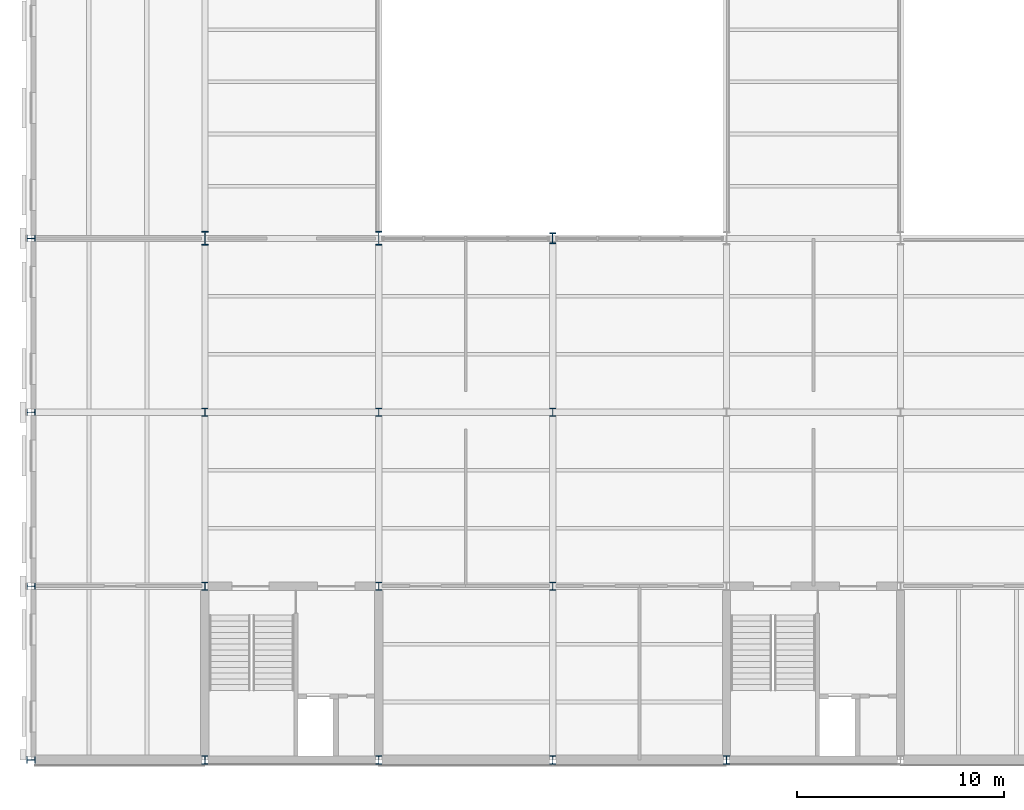
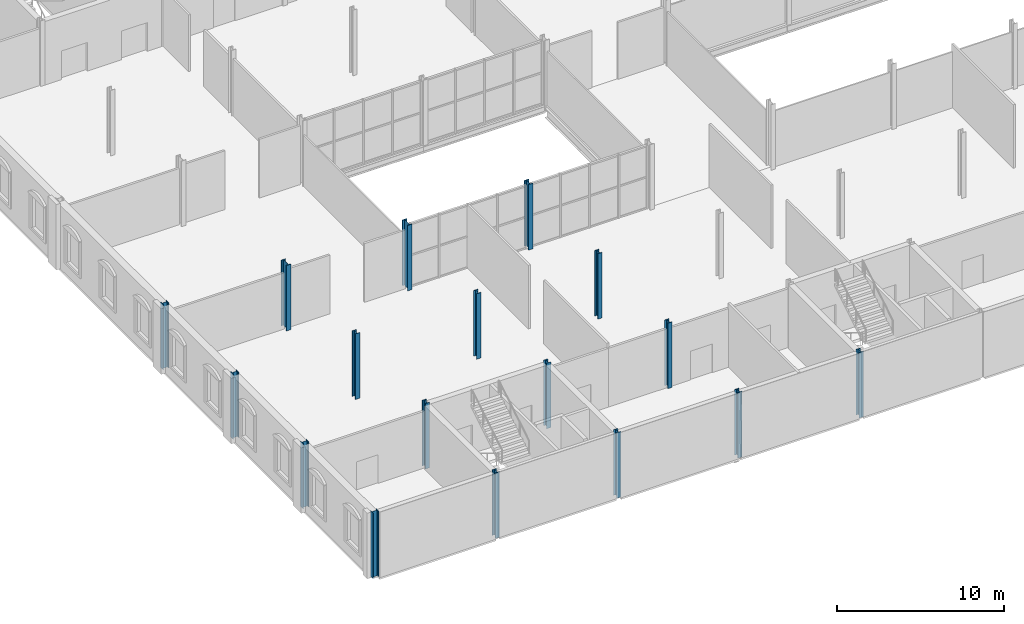
# One storey, part 1 of 57: 17 columns.
"""IFC4 building model written with IfcOpenShell, lengths in metres."""

from ifc_helpers import new_model, si_unit, direction, frame, origin, origin_2d, place, context, subcontext, project, spatial, i_section, extrude, material, material_profile, profile_set, type_object, element, save


model = new_model("IFC4")

# Units and contexts
model_context = context("Model", 3, precision=1e-05, world=origin(), true_north=direction((0.0, 1.0)))
body_context = subcontext(model_context, "Body", "Model", "MODEL_VIEW")
ifc_project = project(units=[si_unit("LENGTHUNIT", "METRE"), si_unit("AREAUNIT", "SQUARE_METRE"), si_unit("VOLUMEUNIT", "CUBIC_METRE"), si_unit("PLANEANGLEUNIT", "RADIAN"), si_unit("MASSUNIT", "GRAM", prefix="KILO")], contexts=[model_context])

# Site, building, storey
site_placement = place(None, origin())
site = spatial("IfcSite", under=ifc_project, at=site_placement, CompositionType="ELEMENT")
building_placement = place(site_placement, origin())
building = spatial("IfcBuilding", under=site, at=building_placement, Name="Galleria Vessillo Department Store", CompositionType="ELEMENT")
storey_placement = place(building_placement, frame((0.0, 0.0, 21.0)))
storey = spatial("IfcBuildingStorey", under=building, at=storey_placement, Name="L04", CompositionType="ELEMENT", Elevation=21.0)

# Columns
ifc_material_1 = material(Name="Steel S355 J2", Category="steel")
ifc_material_profile_1 = material_profile(ifc_material_1, i_section(OverallWidth=0.300048828125, OverallDepth=0.39990234375, WebThickness=0.013427734375, FlangeThickness=0.02392578125, FilletRadius=0.027099609375, at=origin_2d()), Name="HEB 400")
ifc_profile_set_1 = profile_set([ifc_material_profile_1], Name="Steel S355 J2")
column_type_1 = type_object("IfcColumnType", Name="Steel column HEB 400 CP2", PredefinedType="COLUMN", material=ifc_profile_set_1)
for number, where, z_axis, x_axis, name in (
    (1, (0.0, 0.0, 0.0), (0.0, 0.0, 1.0), (0.0, 1.0, 0.0), "S-COL-L04-1-A"),
    (2, (0.0, 8.39990234375, 0.0), (0.0, 0.0, 1.0), (0.0, 1.0, 0.0), "S-COL-L04-1-B"),
    (3, (0.0, 16.800048828125, 0.0), (0.0, 0.0, 1.0), (0.0, 1.0, 0.0), "S-COL-L04-1-C"),
    (4, (0.0, 25.199951171875, 0.0), (0.0, 0.0, 1.0), (0.0, 1.0, 0.0), "S-COL-L04-1-D"),
    (5, (8.39990234375, 0.0, 0.0), (0.0, 0.0, 1.0), (1.0, 0.0, 0.0), "S-COL-L04-2-A"),
    (6, (8.39990234375, 8.39990234375, 0.0), (0.0, 0.0, 1.0), (1.0, 0.0, 0.0), "S-COL-L04-2-B"),
    (7, (8.39990234375, 16.800048828125, 0.0), (0.0, 0.0, 1.0), (1.0, 0.0, 0.0), "S-COL-L04-2-C"),
    (8, (16.800048828125, 0.0, 0.0), (0.0, 0.0, 1.0), (1.0, 0.0, 0.0), "S-COL-L04-3-A"),
    (9, (16.800048828125, 8.39990234375, 0.0), (0.0, 0.0, 1.0), (1.0, 0.0, 0.0), "S-COL-L04-3-B"),
    (10, (16.800048828125, 16.800048828125, 0.0), (0.0, 0.0, 1.0), (1.0, 0.0, 0.0), "S-COL-L04-3-C"),
    (11, (25.199951171875, 0.0, 0.0), (0.0, 0.0, 1.0), (1.0, 0.0, 0.0), "S-COL-L04-4-A"),
    (12, (25.199951171875, 8.39990234375, 0.0), (0.0, 0.0, 1.0), (1.0, 0.0, 0.0), "S-COL-L04-4-B"),
    (13, (25.199951171875, 16.800048828125, 0.0), (0.0, 0.0, 1.0), (1.0, 0.0, 0.0), "S-COL-L04-4-C"),
    (14, (33.60009765625, 0.0, 0.0), (0.0, 0.0, 1.0), (1.0, 0.0, 0.0), "S-COL-L04-5-A"),
):
    element("IfcColumn", number, at=place(storey_placement, frame(where, z_axis=z_axis, x_axis=x_axis)), inside=storey, type_object=column_type_1, Name=name, PredefinedType="COLUMN", context=body_context, shape_type="SweptSolid", body=[
        extrude(i_section(OverallWidth=0.300048828125, OverallDepth=0.39990234375, WebThickness=0.013427734375, FlangeThickness=0.02392578125, FilletRadius=0.027099609375, at=origin_2d()), origin(), (0.0, 0.0, 1.0), 4.800048828125),
    ])
ifc_material_2 = material(Name="Steel S355 J2", Category="steel")
ifc_material_profile_2 = material_profile(ifc_material_2, i_section(OverallWidth=0.305908203125, OverallDepth=0.52392578125, WebThickness=0.02099609375, FlangeThickness=0.0400390625, FilletRadius=0.027099609375, at=origin_2d()), Name="HEM 500")
ifc_profile_set_2 = profile_set([ifc_material_profile_2], Name="Steel S355 J2")
column_type_2 = type_object("IfcColumnType", Name="Steel column HEM 500 CV1", PredefinedType="COLUMN", material=ifc_profile_set_2)
column_placement = place(storey_placement, frame((25.199951171875, 25.199951171875, 0.0), z_axis=(0.0, 0.0, 1.0), x_axis=(1.0, 0.0, 0.0)))
element("IfcColumn", 15, at=column_placement, inside=storey, type_object=column_type_2, Name="S-COL-L04-4-D", PredefinedType="COLUMN", context=body_context, shape_type="SweptSolid", body=[
    extrude(i_section(OverallWidth=0.305908203125, OverallDepth=0.52392578125, WebThickness=0.02099609375, FlangeThickness=0.0400390625, FilletRadius=0.027099609375, at=origin_2d()), origin(), (0.0, 0.0, 1.0), 4.800048828125),
])
ifc_material_3 = material(Name="Steel S355 J2", Category="steel")
ifc_material_profile_3 = material_profile(ifc_material_3, i_section(OverallWidth=0.304931640625, OverallDepth=0.66796875, WebThickness=0.02099609375, FlangeThickness=0.0400390625, FilletRadius=0.027099609375, at=origin_2d()), Name="HEM 650")
ifc_profile_set_3 = profile_set([ifc_material_profile_3], Name="Steel S355 J2")
column_type_3 = type_object("IfcColumnType", Name="Steel column HEM 650 CV3", PredefinedType="COLUMN", material=ifc_profile_set_3)
for number, where, z_axis, x_axis, name in (
    (16, (8.39990234375, 25.199951171875, 0.0), (0.0, 0.0, 1.0), (1.0, 0.0, 0.0), "S-COL-L04-2-D"),
    (17, (16.800048828125, 25.199951171875, 0.0), (0.0, 0.0, 1.0), (1.0, 0.0, 0.0), "S-COL-L04-3-D"),
):
    element("IfcColumn", number, at=place(storey_placement, frame(where, z_axis=z_axis, x_axis=x_axis)), inside=storey, type_object=column_type_3, Name=name, PredefinedType="COLUMN", context=body_context, shape_type="SweptSolid", body=[
        extrude(i_section(OverallWidth=0.304931640625, OverallDepth=0.66796875, WebThickness=0.02099609375, FlangeThickness=0.0400390625, FilletRadius=0.027099609375, at=origin_2d()), origin(), (0.0, 0.0, 1.0), 4.800048828125),
    ])

save(model, "model.ifc")
